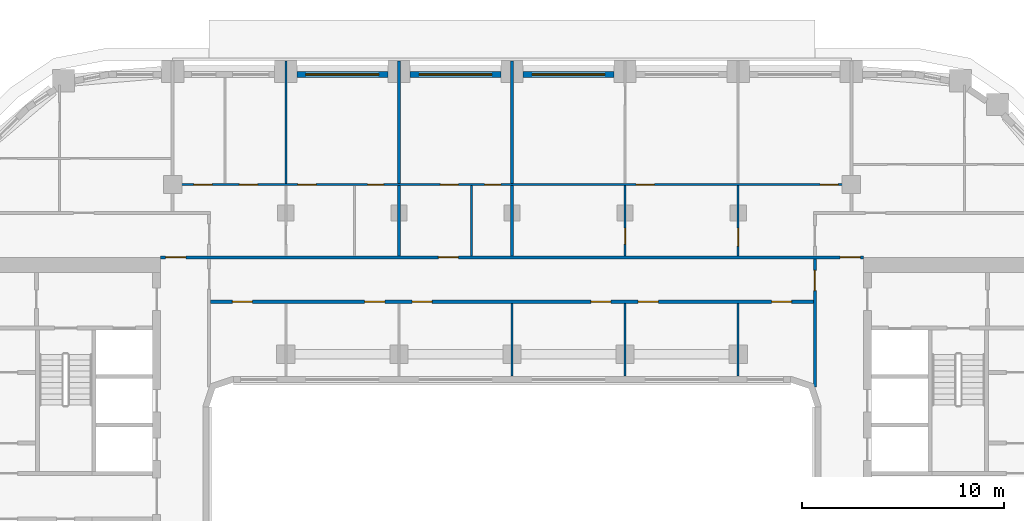
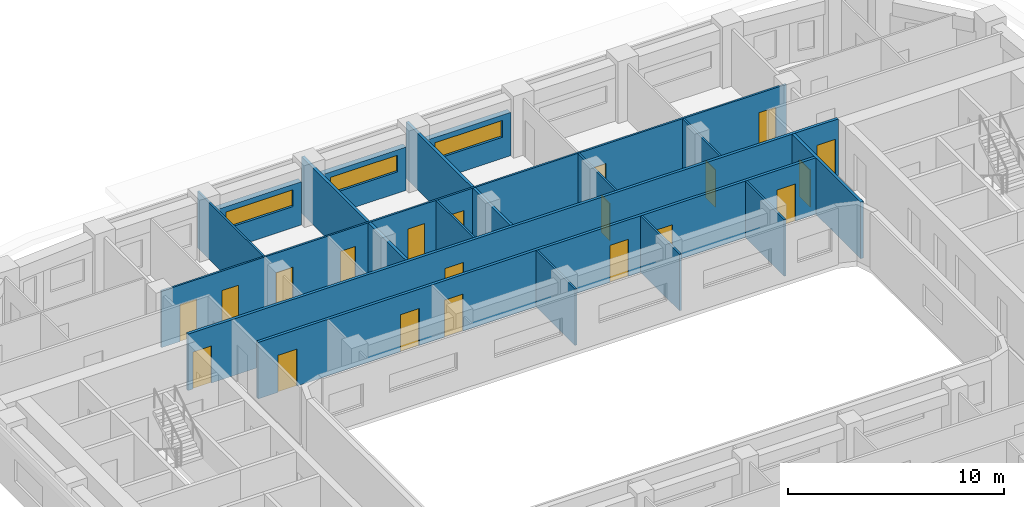
# One storey, part 8 of 22: 20 doors, 18 walls, 3 windows, 23 openings.
"""IFC4 building model written with IfcOpenShell, lengths in metres."""

from ifc_helpers import new_model, si_unit, direction, frame, frame_2d, origin, place, context, subcontext, project, spatial, rectangle, extrude, material, layer, layer_set, type_object, element, fill, save


model = new_model("IFC4")

# Units and contexts
model_context = context("Model", 3, precision=1e-05, world=origin(), true_north=direction((0.0, 1.0)))
body_context = subcontext(model_context, "Body", "Model", "MODEL_VIEW")
ifc_project = project(units=[si_unit("LENGTHUNIT", "METRE"), si_unit("AREAUNIT", "SQUARE_METRE"), si_unit("VOLUMEUNIT", "CUBIC_METRE"), si_unit("PLANEANGLEUNIT", "RADIAN"), si_unit("MASSUNIT", "GRAM", prefix="KILO")], contexts=[model_context])

# Site, building, storey
site_placement = place(None, origin())
site = spatial("IfcSite", under=ifc_project, at=site_placement, CompositionType="ELEMENT")
building_placement = place(site_placement, origin())
building = spatial("IfcBuilding", under=site, at=building_placement, Name="Kiln Ring Residences", CompositionType="ELEMENT")
storey_placement = place(building_placement, frame((0.0, 0.0, 146.60009765625)))
storey = spatial("IfcBuildingStorey", under=building, at=storey_placement, Name="L37", CompositionType="ELEMENT", Elevation=146.60009765625)

# Wall, opening, window
ifc_material_1 = material(Name="Brick masonry, dark clay brick", Category="masonry")
ifc_layer_1 = layer(ifc_material_1, 0.300048828125)
ifc_layer_set_1 = layer_set([ifc_layer_1], Name="EW-300 BRICK WALL")
wall_type_1 = type_object("IfcWallType", Name="EW-300 BRICK WALL", PredefinedType="SOLIDWALL", material=ifc_layer_set_1)
wall_1_placement = place(storey_placement, frame((5.050048828125, 22.25, 0.0), z_axis=(0.0, 0.0, 1.0), x_axis=(-1.0, 0.0, 0.0)))
wall_1 = element("IfcWall", 1, at=wall_1_placement, inside=storey, type_object=wall_type_1, Name="Facade wall L37 31", PredefinedType="SOLIDWALL", context=body_context, shape_type="SweptSolid", body=[
    extrude(rectangle(XDim=4.5, YDim=0.300048828125, at=frame_2d((2.25, 0.0))), origin(), (0.0, 0.0, 1.0), 2.449951171875),
])
opening_1_placement = place(wall_1_placement, frame((0.449951171875, 0.0, 1.199951171875)))
opening_1 = element("IfcOpeningElement", 2, at=opening_1_placement, cuts=wall_1, Name="Opening W4", PredefinedType="OPENING", context=body_context, shape_type="SweptSolid", body=[
    extrude(rectangle(XDim=3.60009765625, YDim=0.949951171875, at=frame_2d((1.800048828125, 0.47509765625))), frame((0.0, 0.159912109375, 0.0), z_axis=(0.0, -1.0, 0.0), x_axis=(1.0, 0.0, 0.0)), (0.0, 0.0, 1.0), 0.320068359375),
])
ifc_material_2 = material(Name="Aluminium frame with double glazing", Category="aluminium")
window_type = type_object("IfcWindowType", Name="WINDOW 3600 x 950", PartitioningType="SINGLE_PANEL", PredefinedType="WINDOW", material=ifc_material_2)
window_1_placement = place(opening_1_placement, origin())
window_1 = element("IfcWindow", 3, at=window_1_placement, inside=storey, type_object=window_type, Name="Window L37 19", OverallHeight=0.949951171875, OverallWidth=3.60009765625, PartitioningType="SINGLE_PANEL", PredefinedType="WINDOW", context=body_context, shape_type="SweptSolid", body=[
    extrude(rectangle(XDim=3.60009765625, YDim=0.949951171875, at=frame_2d((1.800048828125, 0.47509765625))), frame((0.0, 0.030029296875, 0.0), z_axis=(0.0, -1.0, 0.0), x_axis=(1.0, 0.0, 0.0)), (0.0, 0.0, 1.0), 0.06005859375),
])
fill(opening_1, window_1)

wall_2_placement = place(storey_placement, frame((-0.550048828125, 22.25, 0.0), z_axis=(0.0, 0.0, 1.0), x_axis=(-1.0, 0.0, 0.0)))
wall_2 = element("IfcWall", 4, at=wall_2_placement, inside=storey, type_object=wall_type_1, Name="Facade wall L37 32", PredefinedType="SOLIDWALL", context=body_context, shape_type="SweptSolid", body=[
    extrude(rectangle(XDim=4.5, YDim=0.300048828125, at=frame_2d((2.25, 0.0))), origin(), (0.0, 0.0, 1.0), 2.449951171875),
])
opening_2_placement = place(wall_2_placement, frame((0.449951171875, 0.0, 1.199951171875)))
opening_2 = element("IfcOpeningElement", 5, at=opening_2_placement, cuts=wall_2, Name="Opening W4", PredefinedType="OPENING", context=body_context, shape_type="SweptSolid", body=[
    extrude(rectangle(XDim=3.60009765625, YDim=0.949951171875, at=frame_2d((1.800048828125, 0.47509765625))), frame((0.0, 0.159912109375, 0.0), z_axis=(0.0, -1.0, 0.0), x_axis=(1.0, 0.0, 0.0)), (0.0, 0.0, 1.0), 0.320068359375),
])
window_2_placement = place(opening_2_placement, origin())
window_2 = element("IfcWindow", 6, at=window_2_placement, inside=storey, type_object=window_type, Name="Window L37 20", OverallHeight=0.949951171875, OverallWidth=3.60009765625, PartitioningType="SINGLE_PANEL", PredefinedType="WINDOW", context=body_context, shape_type="SweptSolid", body=[
    extrude(rectangle(XDim=3.60009765625, YDim=0.949951171875, at=frame_2d((1.800048828125, 0.47509765625))), frame((0.0, 0.030029296875, 0.0), z_axis=(0.0, -1.0, 0.0), x_axis=(1.0, 0.0, 0.0)), (0.0, 0.0, 1.0), 0.06005859375),
])
fill(opening_2, window_2)

wall_3_placement = place(storey_placement, frame((-6.14990234375, 22.25, 0.0), z_axis=(0.0, 0.0, 1.0), x_axis=(-1.0, 0.0, 0.0)))
wall_3 = element("IfcWall", 7, at=wall_3_placement, inside=storey, type_object=wall_type_1, Name="Facade wall L37 33", PredefinedType="SOLIDWALL", context=body_context, shape_type="SweptSolid", body=[
    extrude(rectangle(XDim=4.5, YDim=0.300048828125, at=frame_2d((2.25, 0.0))), origin(), (0.0, 0.0, 1.0), 2.449951171875),
])
opening_3_placement = place(wall_3_placement, frame((0.449951171875, 0.0, 1.199951171875)))
opening_3 = element("IfcOpeningElement", 8, at=opening_3_placement, cuts=wall_3, Name="Opening W4", PredefinedType="OPENING", context=body_context, shape_type="SweptSolid", body=[
    extrude(rectangle(XDim=3.60009765625, YDim=0.949951171875, at=frame_2d((1.800048828125, 0.47509765625))), frame((0.0, 0.159912109375, 0.0), z_axis=(0.0, -1.0, 0.0), x_axis=(1.0, 0.0, 0.0)), (0.0, 0.0, 1.0), 0.320068359375),
])
window_3_placement = place(opening_3_placement, origin())
window_3 = element("IfcWindow", 9, at=window_3_placement, inside=storey, type_object=window_type, Name="Window L37 21", OverallHeight=0.949951171875, OverallWidth=3.60009765625, PartitioningType="SINGLE_PANEL", PredefinedType="WINDOW", context=body_context, shape_type="SweptSolid", body=[
    extrude(rectangle(XDim=3.60009765625, YDim=0.949951171875, at=frame_2d((1.800048828125, 0.47509765625))), frame((0.0, 0.030029296875, 0.0), z_axis=(0.0, -1.0, 0.0), x_axis=(1.0, 0.0, 0.0)), (0.0, 0.0, 1.0), 0.06005859375),
])
fill(opening_3, window_3)

# Wall, openings, doors
ifc_material_3 = material(Name="Gypsum board on steel studs", Category="steel")
ifc_layer_2 = layer(ifc_material_3, 0.10009765625)
ifc_layer_set_2 = layer_set([ifc_layer_2], Name="PARTITION-100")
wall_type_2 = type_object("IfcWallType", Name="PARTITION-100", PredefinedType="PARTITIONING", material=ifc_layer_set_2)
wall_4_placement = place(storey_placement, frame((-16.72509765625, 16.800048828125, 0.0), z_axis=(0.0, 0.0, 1.0), x_axis=(1.0, 0.0, 0.0)))
wall_4 = element("IfcWall", 10, at=wall_4_placement, inside=storey, type_object=wall_type_2, Name="Partition 011", PredefinedType="PARTITIONING", context=body_context, shape_type="SweptSolid", body=[
    extrude(rectangle(XDim=33.4501953125, YDim=0.10009765625, at=frame_2d((16.72509765625, 0.0))), origin(), (0.0, 0.0, 1.0), 3.199951171875),
])
opening_4_placement = place(wall_4_placement, frame((9.574951171875, 0.0, 0.0)))
opening_4 = element("IfcOpeningElement", 11, at=opening_4_placement, cuts=wall_4, Name="Opening L37-D017", PredefinedType="OPENING", context=body_context, shape_type="SweptSolid", body=[
    extrude(rectangle(XDim=0.800048828125, YDim=2.10009765625, at=frame_2d((0.39990234375, 1.050048828125))), frame((0.0, 0.06005859375, 0.0), z_axis=(0.0, -1.0, 0.0), x_axis=(1.0, 0.0, 0.0)), (0.0, 0.0, 1.0), 0.1201171875),
])
opening_5_placement = place(wall_4_placement, frame((6.125, 0.0, 0.0)))
opening_5 = element("IfcOpeningElement", 12, at=opening_5_placement, cuts=wall_4, Name="Opening L37-D018", PredefinedType="OPENING", context=body_context, shape_type="SweptSolid", body=[
    extrude(rectangle(XDim=0.89990234375, YDim=2.10009765625, at=frame_2d((0.449951171875, 1.050048828125))), frame((0.0, 0.06005859375, 0.0), z_axis=(0.0, -1.0, 0.0), x_axis=(1.0, 0.0, 0.0)), (0.0, 0.0, 1.0), 0.1201171875),
])
opening_6_placement = place(wall_4_placement, frame((0.97509765625, 0.0, 0.0)))
opening_6 = element("IfcOpeningElement", 13, at=opening_6_placement, cuts=wall_4, Name="Opening L37-D019", PredefinedType="OPENING", context=body_context, shape_type="SweptSolid", body=[
    extrude(rectangle(XDim=0.89990234375, YDim=2.10009765625, at=frame_2d((0.449951171875, 1.050048828125))), frame((0.0, 0.06005859375, 0.0), z_axis=(0.0, -1.0, 0.0), x_axis=(1.0, 0.0, 0.0)), (0.0, 0.0, 1.0), 0.1201171875),
])
opening_7_placement = place(wall_4_placement, frame((3.22509765625, 0.0, 0.0)))
opening_7 = element("IfcOpeningElement", 14, at=opening_7_placement, cuts=wall_4, Name="Opening L37-D020", PredefinedType="OPENING", context=body_context, shape_type="SweptSolid", body=[
    extrude(rectangle(XDim=0.89990234375, YDim=2.10009765625, at=frame_2d((0.449951171875, 1.050048828125))), frame((0.0, 0.06005859375, 0.0), z_axis=(0.0, -1.0, 0.0), x_axis=(1.0, 0.0, 0.0)), (0.0, 0.0, 1.0), 0.1201171875),
])
opening_8_placement = place(wall_4_placement, frame((15.375, 0.0, 0.0)))
opening_8 = element("IfcOpeningElement", 15, at=opening_8_placement, cuts=wall_4, Name="Opening L37-D022", PredefinedType="OPENING", context=body_context, shape_type="SweptSolid", body=[
    extrude(rectangle(XDim=0.800048828125, YDim=2.10009765625, at=frame_2d((0.39990234375, 1.050048828125))), frame((0.0, 0.06005859375, 0.0), z_axis=(0.0, -1.0, 0.0), x_axis=(1.0, 0.0, 0.0)), (0.0, 0.0, 1.0), 0.1201171875),
])
opening_9_placement = place(wall_4_placement, frame((13.175048828125, 0.0, 0.0)))
opening_9 = element("IfcOpeningElement", 16, at=opening_9_placement, cuts=wall_4, Name="Opening L37-D023", PredefinedType="OPENING", context=body_context, shape_type="SweptSolid", body=[
    extrude(rectangle(XDim=0.89990234375, YDim=2.10009765625, at=frame_2d((0.449951171875, 1.050048828125))), frame((0.0, 0.06005859375, 0.0), z_axis=(0.0, -1.0, 0.0), x_axis=(1.0, 0.0, 0.0)), (0.0, 0.0, 1.0), 0.1201171875),
])
opening_10_placement = place(wall_4_placement, frame((31.97509765625, 0.0, 0.0)))
opening_10 = element("IfcOpeningElement", 17, at=opening_10_placement, cuts=wall_4, Name="Opening L37-D027", PredefinedType="OPENING", context=body_context, shape_type="SweptSolid", body=[
    extrude(rectangle(XDim=0.89990234375, YDim=2.10009765625, at=frame_2d((0.449951171875, 1.050048828125))), frame((0.0, 0.06005859375, 0.0), z_axis=(0.0, -1.0, 0.0), x_axis=(1.0, 0.0, 0.0)), (0.0, 0.0, 1.0), 0.1201171875),
])
opening_11_placement = place(wall_4_placement, frame((22.875, 0.0, 0.0)))
opening_11 = element("IfcOpeningElement", 18, at=opening_11_placement, cuts=wall_4, Name="Opening L37-D028", PredefinedType="OPENING", context=body_context, shape_type="SweptSolid", body=[
    extrude(rectangle(XDim=0.89990234375, YDim=2.10009765625, at=frame_2d((0.449951171875, 1.050048828125))), frame((0.0, 0.06005859375, 0.0), z_axis=(0.0, -1.0, 0.0), x_axis=(1.0, 0.0, 0.0)), (0.0, 0.0, 1.0), 0.1201171875),
])
ifc_material_4 = material(Name="Timber door leaf", Category="wood")
door_type_1 = type_object("IfcDoorType", Name="FLAT-DOOR-800-PL", OperationType="SINGLE_SWING_LEFT", PredefinedType="DOOR", material=ifc_material_4)
door_1_placement = place(opening_4_placement, origin())
door_1 = element("IfcDoor", 19, at=door_1_placement, inside=storey, type_object=door_type_1, Name="Door L37-D017", OperationType="SINGLE_SWING_LEFT", OverallHeight=2.10009765625, OverallWidth=0.800048828125, PredefinedType="DOOR", context=body_context, shape_type="SweptSolid", body=[
    extrude(rectangle(XDim=0.800048828125, YDim=2.10009765625, at=frame_2d((0.39990234375, 1.050048828125))), frame((0.0, 0.02490234375, 0.0), z_axis=(0.0, -1.0, 0.0), x_axis=(1.0, 0.0, 0.0)), (0.0, 0.0, 1.0), 0.050048828125),
])
fill(opening_4, door_1)
door_2_placement = place(opening_8_placement, origin())
door_2 = element("IfcDoor", 20, at=door_2_placement, inside=storey, type_object=door_type_1, Name="Door L37-D022", OperationType="SINGLE_SWING_RIGHT", OverallHeight=2.10009765625, OverallWidth=0.800048828125, PredefinedType="DOOR", context=body_context, shape_type="SweptSolid", body=[
    extrude(rectangle(XDim=0.800048828125, YDim=2.10009765625, at=frame_2d((0.39990234375, 1.050048828125))), frame((0.0, 0.02490234375, 0.0), z_axis=(0.0, -1.0, 0.0), x_axis=(1.0, 0.0, 0.0)), (0.0, 0.0, 1.0), 0.050048828125),
])
fill(opening_8, door_2)
ifc_material_5 = material(Name="Timber door leaf", Category="wood")
door_type_2 = type_object("IfcDoorType", Name="FLAT-DOOR-900-PL", OperationType="SINGLE_SWING_LEFT", PredefinedType="DOOR", material=ifc_material_5)
door_3_placement = place(opening_5_placement, origin())
door_3 = element("IfcDoor", 21, at=door_3_placement, inside=storey, type_object=door_type_2, Name="Door L37-D018", OperationType="SINGLE_SWING_RIGHT", OverallHeight=2.10009765625, OverallWidth=0.89990234375, PredefinedType="DOOR", context=body_context, shape_type="SweptSolid", body=[
    extrude(rectangle(XDim=0.89990234375, YDim=2.10009765625, at=frame_2d((0.449951171875, 1.050048828125))), frame((0.0, 0.02490234375, 0.0), z_axis=(0.0, -1.0, 0.0), x_axis=(1.0, 0.0, 0.0)), (0.0, 0.0, 1.0), 0.050048828125),
])
fill(opening_5, door_3)
door_4_placement = place(opening_6_placement, origin())
door_4 = element("IfcDoor", 22, at=door_4_placement, inside=storey, type_object=door_type_2, Name="Door L37-D019", OperationType="SINGLE_SWING_LEFT", OverallHeight=2.10009765625, OverallWidth=0.89990234375, PredefinedType="DOOR", context=body_context, shape_type="SweptSolid", body=[
    extrude(rectangle(XDim=0.89990234375, YDim=2.10009765625, at=frame_2d((0.449951171875, 1.050048828125))), frame((0.0, 0.02490234375, 0.0), z_axis=(0.0, -1.0, 0.0), x_axis=(1.0, 0.0, 0.0)), (0.0, 0.0, 1.0), 0.050048828125),
])
fill(opening_6, door_4)
door_5_placement = place(opening_7_placement, origin())
door_5 = element("IfcDoor", 23, at=door_5_placement, inside=storey, type_object=door_type_2, Name="Door L37-D020", OperationType="SINGLE_SWING_RIGHT", OverallHeight=2.10009765625, OverallWidth=0.89990234375, PredefinedType="DOOR", context=body_context, shape_type="SweptSolid", body=[
    extrude(rectangle(XDim=0.89990234375, YDim=2.10009765625, at=frame_2d((0.449951171875, 1.050048828125))), frame((0.0, 0.02490234375, 0.0), z_axis=(0.0, -1.0, 0.0), x_axis=(1.0, 0.0, 0.0)), (0.0, 0.0, 1.0), 0.050048828125),
])
fill(opening_7, door_5)
door_6_placement = place(opening_9_placement, origin())
door_6 = element("IfcDoor", 24, at=door_6_placement, inside=storey, type_object=door_type_2, Name="Door L37-D023", OperationType="SINGLE_SWING_LEFT", OverallHeight=2.10009765625, OverallWidth=0.89990234375, PredefinedType="DOOR", context=body_context, shape_type="SweptSolid", body=[
    extrude(rectangle(XDim=0.89990234375, YDim=2.10009765625, at=frame_2d((0.449951171875, 1.050048828125))), frame((0.0, 0.02490234375, 0.0), z_axis=(0.0, -1.0, 0.0), x_axis=(1.0, 0.0, 0.0)), (0.0, 0.0, 1.0), 0.050048828125),
])
fill(opening_9, door_6)
door_7_placement = place(opening_10_placement, origin())
door_7 = element("IfcDoor", 25, at=door_7_placement, inside=storey, type_object=door_type_2, Name="Door L37-D027", OperationType="SINGLE_SWING_LEFT", OverallHeight=2.10009765625, OverallWidth=0.89990234375, PredefinedType="DOOR", context=body_context, shape_type="SweptSolid", body=[
    extrude(rectangle(XDim=0.89990234375, YDim=2.10009765625, at=frame_2d((0.449951171875, 1.050048828125))), frame((0.0, 0.02490234375, 0.0), z_axis=(0.0, -1.0, 0.0), x_axis=(1.0, 0.0, 0.0)), (0.0, 0.0, 1.0), 0.050048828125),
])
fill(opening_10, door_7)
door_8_placement = place(opening_11_placement, origin())
door_8 = element("IfcDoor", 26, at=door_8_placement, inside=storey, type_object=door_type_2, Name="Door L37-D028", OperationType="SINGLE_SWING_RIGHT", OverallHeight=2.10009765625, OverallWidth=0.89990234375, PredefinedType="DOOR", context=body_context, shape_type="SweptSolid", body=[
    extrude(rectangle(XDim=0.89990234375, YDim=2.10009765625, at=frame_2d((0.449951171875, 1.050048828125))), frame((0.0, 0.02490234375, 0.0), z_axis=(0.0, -1.0, 0.0), x_axis=(1.0, 0.0, 0.0)), (0.0, 0.0, 1.0), 0.050048828125),
])
fill(opening_11, door_8)

# Walls
wall_5_placement = place(storey_placement, frame((-11.199951171875, 16.85009765625, 0.0), z_axis=(0.0, 0.0, 1.0), x_axis=(0.0, 1.0, 0.0)))
element("IfcWall", 27, at=wall_5_placement, inside=storey, type_object=wall_type_2, Name="Partition 030", PredefinedType="PARTITIONING", context=body_context, shape_type="SweptSolid", body=[
    extrude(rectangle(XDim=6.079833984375, YDim=0.10009765625, at=frame_2d((3.0400390625, 0.0))), origin(), (0.0, 0.0, 1.0), 3.199951171875),
])
wall_6_placement = place(storey_placement, frame((-2.0, 13.27490234375, 0.0), z_axis=(0.0, 0.0, 1.0), x_axis=(0.0, 1.0, 0.0)))
element("IfcWall", 28, at=wall_6_placement, inside=storey, type_object=wall_type_2, Name="Partition 038", PredefinedType="PARTITIONING", context=body_context, shape_type="SweptSolid", body=[
    extrude(rectangle(XDim=3.47509765625, YDim=0.10009765625, at=frame_2d((1.737548828125, 0.0))), origin(), (0.0, 0.0, 1.0), 3.199951171875),
])
for number, where, z_axis, x_axis, name in (
    (29, (0.0, 7.320068359375, 0.0), (0.0, 0.0, 1.0), (0.0, 1.0, 0.0), "Partition 042"),
    (30, (5.60009765625, 7.320068359375, 0.0), (0.0, 0.0, 1.0), (0.0, 1.0, 0.0), "Partition 046"),
):
    element("IfcWall", number, at=place(storey_placement, frame(where, z_axis=z_axis, x_axis=x_axis)), inside=storey, type_object=wall_type_2, Name=name, PredefinedType="PARTITIONING", context=body_context, shape_type="SweptSolid", body=[
        extrude(rectangle(XDim=3.60498046875, YDim=0.10009765625, at=frame_2d((1.802490234375, 0.0))), origin(), (0.0, 0.0, 1.0), 3.199951171875),
    ])

# Wall, opening, door
wall_7_placement = place(storey_placement, frame((5.60009765625, 13.27490234375, 0.0), z_axis=(0.0, 0.0, 1.0), x_axis=(0.0, 1.0, 0.0)))
wall_7 = element("IfcWall", 31, at=wall_7_placement, inside=storey, type_object=wall_type_2, Name="Partition 047", PredefinedType="PARTITIONING", context=body_context, shape_type="SweptSolid", body=[
    extrude(rectangle(XDim=3.47509765625, YDim=0.10009765625, at=frame_2d((1.737548828125, 0.0))), origin(), (0.0, 0.0, 1.0), 3.199951171875),
])
opening_12_placement = place(wall_7_placement, frame((0.574951171875, 0.0, 0.0)))
opening_12 = element("IfcOpeningElement", 32, at=opening_12_placement, cuts=wall_7, Name="Opening L37-D026", PredefinedType="OPENING", context=body_context, shape_type="SweptSolid", body=[
    extrude(rectangle(XDim=0.800048828125, YDim=2.10009765625, at=frame_2d((0.39990234375, 1.050048828125))), frame((0.0, 0.06005859375, 0.0), z_axis=(0.0, -1.0, 0.0), x_axis=(1.0, 0.0, 0.0)), (0.0, 0.0, 1.0), 0.1201171875),
])
door_9_placement = place(opening_12_placement, origin())
door_9 = element("IfcDoor", 33, at=door_9_placement, inside=storey, type_object=door_type_1, Name="Door L37-D026", OperationType="SINGLE_SWING_RIGHT", OverallHeight=2.10009765625, OverallWidth=0.800048828125, PredefinedType="DOOR", context=body_context, shape_type="SweptSolid", body=[
    extrude(rectangle(XDim=0.800048828125, YDim=2.10009765625, at=frame_2d((0.39990234375, 1.050048828125))), frame((0.0, 0.02490234375, 0.0), z_axis=(0.0, -1.0, 0.0), x_axis=(1.0, 0.0, 0.0)), (0.0, 0.0, 1.0), 0.050048828125),
])
fill(opening_12, door_9)

# Wall
wall_8_placement = place(storey_placement, frame((11.199951171875, 7.320068359375, 0.0), z_axis=(0.0, 0.0, 1.0), x_axis=(0.0, 1.0, 0.0)))
element("IfcWall", 34, at=wall_8_placement, inside=storey, type_object=wall_type_2, Name="Partition 054", PredefinedType="PARTITIONING", context=body_context, shape_type="SweptSolid", body=[
    extrude(rectangle(XDim=3.60498046875, YDim=0.10009765625, at=frame_2d((1.802490234375, 0.0))), origin(), (0.0, 0.0, 1.0), 3.199951171875),
])

# Wall, opening, door
wall_9_placement = place(storey_placement, frame((11.199951171875, 13.27490234375, 0.0), z_axis=(0.0, 0.0, 1.0), x_axis=(0.0, 1.0, 0.0)))
wall_9 = element("IfcWall", 35, at=wall_9_placement, inside=storey, type_object=wall_type_2, Name="Partition 055", PredefinedType="PARTITIONING", context=body_context, shape_type="SweptSolid", body=[
    extrude(rectangle(XDim=3.47509765625, YDim=0.10009765625, at=frame_2d((1.737548828125, 0.0))), origin(), (0.0, 0.0, 1.0), 3.199951171875),
])
opening_13_placement = place(wall_9_placement, frame((0.47509765625, 0.0, 0.0)))
opening_13 = element("IfcOpeningElement", 36, at=opening_13_placement, cuts=wall_9, Name="Opening L37-D025", PredefinedType="OPENING", context=body_context, shape_type="SweptSolid", body=[
    extrude(rectangle(XDim=0.89990234375, YDim=2.10009765625, at=frame_2d((0.449951171875, 1.050048828125))), frame((0.0, 0.06005859375, 0.0), z_axis=(0.0, -1.0, 0.0), x_axis=(1.0, 0.0, 0.0)), (0.0, 0.0, 1.0), 0.1201171875),
])
door_10_placement = place(opening_13_placement, origin())
door_10 = element("IfcDoor", 37, at=door_10_placement, inside=storey, type_object=door_type_2, Name="Door L37-D025", OperationType="SINGLE_SWING_RIGHT", OverallHeight=2.10009765625, OverallWidth=0.89990234375, PredefinedType="DOOR", context=body_context, shape_type="SweptSolid", body=[
    extrude(rectangle(XDim=0.89990234375, YDim=2.10009765625, at=frame_2d((0.449951171875, 1.050048828125))), frame((0.0, 0.02490234375, 0.0), z_axis=(0.0, -1.0, 0.0), x_axis=(1.0, 0.0, 0.0)), (0.0, 0.0, 1.0), 0.050048828125),
])
fill(opening_13, door_10)

# Wall, openings, doors
ifc_material_6 = material(Name="Brick masonry partition", Category="masonry")
ifc_layer_3 = layer(ifc_material_6, 0.14990234375)
ifc_layer_set_3 = layer_set([ifc_layer_3], Name="PARTITION-150-ei60")
wall_type_3 = type_object("IfcWallType", Name="PARTITION-150-ei60", PredefinedType="PARTITIONING", material=ifc_layer_set_3)
wall_10_placement = place(storey_placement, frame((-14.925048828125, 11.0, 0.0), z_axis=(0.0, 0.0, 1.0), x_axis=(1.0, 0.0, 0.0)))
wall_10 = element("IfcWall", 38, at=wall_10_placement, inside=storey, type_object=wall_type_3, Name="Partition 007", PredefinedType="PARTITIONING", context=body_context, shape_type="SweptSolid", body=[
    extrude(rectangle(XDim=29.85009765625, YDim=0.14990234375, at=frame_2d((14.925048828125, 0.0))), origin(), (0.0, 0.0, 1.0), 3.199951171875),
])
opening_14_placement = place(wall_10_placement, frame((1.075927734375, 0.0, 0.0)))
opening_14 = element("IfcOpeningElement", 39, at=opening_14_placement, cuts=wall_10, Name="Opening L37-D009", PredefinedType="OPENING", context=body_context, shape_type="SweptSolid", body=[
    extrude(rectangle(XDim=1.0, YDim=2.10009765625, at=frame_2d((0.5, 1.050048828125))), frame((0.0, 0.0849609375, 0.0), z_axis=(0.0, -1.0, 0.0), x_axis=(1.0, 0.0, 0.0)), (0.0, 0.0, 1.0), 0.169921875),
])
opening_15_placement = place(wall_10_placement, frame((7.625, 0.0, 0.0)))
opening_15 = element("IfcOpeningElement", 40, at=opening_15_placement, cuts=wall_10, Name="Opening L37-D010", PredefinedType="OPENING", context=body_context, shape_type="SweptSolid", body=[
    extrude(rectangle(XDim=1.0, YDim=2.10009765625, at=frame_2d((0.5, 1.050048828125))), frame((0.0, 0.0849609375, 0.0), z_axis=(0.0, -1.0, 0.0), x_axis=(1.0, 0.0, 0.0)), (0.0, 0.0, 1.0), 0.169921875),
])
opening_16_placement = place(wall_10_placement, frame((9.97509765625, 0.0, 0.0)))
opening_16 = element("IfcOpeningElement", 41, at=opening_16_placement, cuts=wall_10, Name="Opening L37-D011", PredefinedType="OPENING", context=body_context, shape_type="SweptSolid", body=[
    extrude(rectangle(XDim=1.0, YDim=2.10009765625, at=frame_2d((0.5, 1.050048828125))), frame((0.0, 0.0849609375, 0.0), z_axis=(0.0, -1.0, 0.0), x_axis=(1.0, 0.0, 0.0)), (0.0, 0.0, 1.0), 0.169921875),
])
opening_17_placement = place(wall_10_placement, frame((18.824951171875, 0.0, 0.0)))
opening_17 = element("IfcOpeningElement", 42, at=opening_17_placement, cuts=wall_10, Name="Opening L37-D012", PredefinedType="OPENING", context=body_context, shape_type="SweptSolid", body=[
    extrude(rectangle(XDim=1.0, YDim=2.10009765625, at=frame_2d((0.5, 1.050048828125))), frame((0.0, 0.0849609375, 0.0), z_axis=(0.0, -1.0, 0.0), x_axis=(1.0, 0.0, 0.0)), (0.0, 0.0, 1.0), 0.169921875),
])
opening_18_placement = place(wall_10_placement, frame((21.175048828125, 0.0, 0.0)))
opening_18 = element("IfcOpeningElement", 43, at=opening_18_placement, cuts=wall_10, Name="Opening L37-D013", PredefinedType="OPENING", context=body_context, shape_type="SweptSolid", body=[
    extrude(rectangle(XDim=1.0, YDim=2.10009765625, at=frame_2d((0.5, 1.050048828125))), frame((0.0, 0.0849609375, 0.0), z_axis=(0.0, -1.0, 0.0), x_axis=(1.0, 0.0, 0.0)), (0.0, 0.0, 1.0), 0.169921875),
])
opening_19_placement = place(wall_10_placement, frame((27.77490234375, 0.0, 0.0)))
opening_19 = element("IfcOpeningElement", 44, at=opening_19_placement, cuts=wall_10, Name="Opening L37-D014", PredefinedType="OPENING", context=body_context, shape_type="SweptSolid", body=[
    extrude(rectangle(XDim=1.0, YDim=2.10009765625, at=frame_2d((0.5, 1.050048828125))), frame((0.0, 0.0849609375, 0.0), z_axis=(0.0, -1.0, 0.0), x_axis=(1.0, 0.0, 0.0)), (0.0, 0.0, 1.0), 0.169921875),
])
ifc_material_7 = material(Name="Steel faced fire door leaf", Category="steel")
door_type_3 = type_object("IfcDoorType", Name="FLAT-DOOR-1000-FR", OperationType="SINGLE_SWING_LEFT", PredefinedType="DOOR", material=ifc_material_7)
door_11_placement = place(opening_14_placement, origin())
door_11 = element("IfcDoor", 45, at=door_11_placement, inside=storey, type_object=door_type_3, Name="Door L37-D009", OperationType="SINGLE_SWING_LEFT", OverallHeight=2.10009765625, OverallWidth=1.0, PredefinedType="DOOR", context=body_context, shape_type="SweptSolid", body=[
    extrude(rectangle(XDim=1.0, YDim=2.10009765625, at=frame_2d((0.5, 1.050048828125))), frame((0.0, 0.02490234375, 0.0), z_axis=(0.0, -1.0, 0.0), x_axis=(1.0, 0.0, 0.0)), (0.0, 0.0, 1.0), 0.050048828125),
])
fill(opening_14, door_11)
door_12_placement = place(opening_15_placement, origin())
door_12 = element("IfcDoor", 46, at=door_12_placement, inside=storey, type_object=door_type_3, Name="Door L37-D010", OperationType="SINGLE_SWING_RIGHT", OverallHeight=2.10009765625, OverallWidth=1.0, PredefinedType="DOOR", context=body_context, shape_type="SweptSolid", body=[
    extrude(rectangle(XDim=1.0, YDim=2.10009765625, at=frame_2d((0.5, 1.050048828125))), frame((0.0, 0.02490234375, 0.0), z_axis=(0.0, -1.0, 0.0), x_axis=(1.0, 0.0, 0.0)), (0.0, 0.0, 1.0), 0.050048828125),
])
fill(opening_15, door_12)
door_13_placement = place(opening_16_placement, origin())
door_13 = element("IfcDoor", 47, at=door_13_placement, inside=storey, type_object=door_type_3, Name="Door L37-D011", OperationType="SINGLE_SWING_LEFT", OverallHeight=2.10009765625, OverallWidth=1.0, PredefinedType="DOOR", context=body_context, shape_type="SweptSolid", body=[
    extrude(rectangle(XDim=1.0, YDim=2.10009765625, at=frame_2d((0.5, 1.050048828125))), frame((0.0, 0.02490234375, 0.0), z_axis=(0.0, -1.0, 0.0), x_axis=(1.0, 0.0, 0.0)), (0.0, 0.0, 1.0), 0.050048828125),
])
fill(opening_16, door_13)
door_14_placement = place(opening_17_placement, origin())
door_14 = element("IfcDoor", 48, at=door_14_placement, inside=storey, type_object=door_type_3, Name="Door L37-D012", OperationType="SINGLE_SWING_RIGHT", OverallHeight=2.10009765625, OverallWidth=1.0, PredefinedType="DOOR", context=body_context, shape_type="SweptSolid", body=[
    extrude(rectangle(XDim=1.0, YDim=2.10009765625, at=frame_2d((0.5, 1.050048828125))), frame((0.0, 0.02490234375, 0.0), z_axis=(0.0, -1.0, 0.0), x_axis=(1.0, 0.0, 0.0)), (0.0, 0.0, 1.0), 0.050048828125),
])
fill(opening_17, door_14)
door_15_placement = place(opening_18_placement, origin())
door_15 = element("IfcDoor", 49, at=door_15_placement, inside=storey, type_object=door_type_3, Name="Door L37-D013", OperationType="SINGLE_SWING_LEFT", OverallHeight=2.10009765625, OverallWidth=1.0, PredefinedType="DOOR", context=body_context, shape_type="SweptSolid", body=[
    extrude(rectangle(XDim=1.0, YDim=2.10009765625, at=frame_2d((0.5, 1.050048828125))), frame((0.0, 0.02490234375, 0.0), z_axis=(0.0, -1.0, 0.0), x_axis=(1.0, 0.0, 0.0)), (0.0, 0.0, 1.0), 0.050048828125),
])
fill(opening_18, door_15)
door_16_placement = place(opening_19_placement, origin())
door_16 = element("IfcDoor", 50, at=door_16_placement, inside=storey, type_object=door_type_3, Name="Door L37-D014", OperationType="SINGLE_SWING_RIGHT", OverallHeight=2.10009765625, OverallWidth=1.0, PredefinedType="DOOR", context=body_context, shape_type="SweptSolid", body=[
    extrude(rectangle(XDim=1.0, YDim=2.10009765625, at=frame_2d((0.5, 1.050048828125))), frame((0.0, 0.02490234375, 0.0), z_axis=(0.0, -1.0, 0.0), x_axis=(1.0, 0.0, 0.0)), (0.0, 0.0, 1.0), 0.050048828125),
])
fill(opening_19, door_16)

wall_11_placement = place(storey_placement, frame((-17.39990234375, 13.199951171875, 0.0), z_axis=(0.0, 0.0, 1.0), x_axis=(1.0, 0.0, 0.0)))
wall_11 = element("IfcWall", 51, at=wall_11_placement, inside=storey, type_object=wall_type_3, Name="Partition 008", PredefinedType="PARTITIONING", context=body_context, shape_type="SweptSolid", body=[
    extrude(rectangle(XDim=34.7998046875, YDim=0.14990234375, at=frame_2d((17.39990234375, 0.0))), origin(), (0.0, 0.0, 1.0), 3.199951171875),
])
opening_20_placement = place(wall_11_placement, frame((0.25, 0.0, 0.0)))
opening_20 = element("IfcOpeningElement", 52, at=opening_20_placement, cuts=wall_11, Name="Opening L37-D003", PredefinedType="OPENING", context=body_context, shape_type="SweptSolid", body=[
    extrude(rectangle(XDim=1.0, YDim=2.10009765625, at=frame_2d((0.5, 1.050048828125))), frame((0.0, 0.0849609375, 0.0), z_axis=(0.0, -1.0, 0.0), x_axis=(1.0, 0.0, 0.0)), (0.0, 0.0, 1.0), 0.169921875),
])
opening_21_placement = place(wall_11_placement, frame((33.64990234375, 0.0, 0.0)))
opening_21 = element("IfcOpeningElement", 53, at=opening_21_placement, cuts=wall_11, Name="Opening L37-D004", PredefinedType="OPENING", context=body_context, shape_type="SweptSolid", body=[
    extrude(rectangle(XDim=1.0, YDim=2.10009765625, at=frame_2d((0.5, 1.050048828125))), frame((0.0, 0.0849609375, 0.0), z_axis=(0.0, -1.0, 0.0), x_axis=(1.0, 0.0, 0.0)), (0.0, 0.0, 1.0), 0.169921875),
])
opening_22_placement = place(wall_11_placement, frame((13.75, 0.0, 0.0)))
opening_22 = element("IfcOpeningElement", 54, at=opening_22_placement, cuts=wall_11, Name="Opening L37-D021", PredefinedType="OPENING", context=body_context, shape_type="SweptSolid", body=[
    extrude(rectangle(XDim=1.0, YDim=2.10009765625, at=frame_2d((0.5, 1.050048828125))), frame((0.0, 0.0849609375, 0.0), z_axis=(0.0, -1.0, 0.0), x_axis=(1.0, 0.0, 0.0)), (0.0, 0.0, 1.0), 0.169921875),
])
door_17_placement = place(opening_20_placement, origin())
door_17 = element("IfcDoor", 55, at=door_17_placement, inside=storey, type_object=door_type_3, Name="Door L37-D003", OperationType="SINGLE_SWING_LEFT", OverallHeight=2.10009765625, OverallWidth=1.0, PredefinedType="DOOR", context=body_context, shape_type="SweptSolid", body=[
    extrude(rectangle(XDim=1.0, YDim=2.10009765625, at=frame_2d((0.5, 1.050048828125))), frame((0.0, 0.02490234375, 0.0), z_axis=(0.0, -1.0, 0.0), x_axis=(1.0, 0.0, 0.0)), (0.0, 0.0, 1.0), 0.050048828125),
])
fill(opening_20, door_17)
door_18_placement = place(opening_21_placement, origin())
door_18 = element("IfcDoor", 56, at=door_18_placement, inside=storey, type_object=door_type_3, Name="Door L37-D004", OperationType="SINGLE_SWING_RIGHT", OverallHeight=2.10009765625, OverallWidth=1.0, PredefinedType="DOOR", context=body_context, shape_type="SweptSolid", body=[
    extrude(rectangle(XDim=1.0, YDim=2.10009765625, at=frame_2d((0.5, 1.050048828125))), frame((0.0, 0.02490234375, 0.0), z_axis=(0.0, -1.0, 0.0), x_axis=(1.0, 0.0, 0.0)), (0.0, 0.0, 1.0), 0.050048828125),
])
fill(opening_21, door_18)
door_19_placement = place(opening_22_placement, origin())
door_19 = element("IfcDoor", 57, at=door_19_placement, inside=storey, type_object=door_type_3, Name="Door L37-D021", OperationType="SINGLE_SWING_LEFT", OverallHeight=2.10009765625, OverallWidth=1.0, PredefinedType="DOOR", context=body_context, shape_type="SweptSolid", body=[
    extrude(rectangle(XDim=1.0, YDim=2.10009765625, at=frame_2d((0.5, 1.050048828125))), frame((0.0, 0.02490234375, 0.0), z_axis=(0.0, -1.0, 0.0), x_axis=(1.0, 0.0, 0.0)), (0.0, 0.0, 1.0), 0.050048828125),
])
fill(opening_22, door_19)

# Walls
wall_12_placement = place(storey_placement, frame((-5.60009765625, 13.27490234375, 0.0), z_axis=(0.0, 0.0, 1.0), x_axis=(0.0, 1.0, 0.0)))
element("IfcWall", 58, at=wall_12_placement, inside=storey, type_object=wall_type_3, Name="Partition 036", PredefinedType="PARTITIONING", context=body_context, shape_type="SweptSolid", body=[
    extrude(rectangle(XDim=3.47509765625, YDim=0.14990234375, at=frame_2d((1.737548828125, 0.0))), origin(), (0.0, 0.0, 1.0), 3.199951171875),
])
wall_13_placement = place(storey_placement, frame((-5.60009765625, 16.85009765625, 0.0), z_axis=(0.0, 0.0, 1.0), x_axis=(0.0, 1.0, 0.0)))
element("IfcWall", 59, at=wall_13_placement, inside=storey, type_object=wall_type_3, Name="Partition 037", PredefinedType="PARTITIONING", context=body_context, shape_type="SweptSolid", body=[
    extrude(rectangle(XDim=6.079833984375, YDim=0.14990234375, at=frame_2d((3.0400390625, 0.0))), origin(), (0.0, 0.0, 1.0), 3.199951171875),
])
wall_14_placement = place(storey_placement, frame((0.0, 13.27490234375, 0.0), z_axis=(0.0, 0.0, 1.0), x_axis=(0.0, 1.0, 0.0)))
element("IfcWall", 60, at=wall_14_placement, inside=storey, type_object=wall_type_3, Name="Partition 043", PredefinedType="PARTITIONING", context=body_context, shape_type="SweptSolid", body=[
    extrude(rectangle(XDim=3.47509765625, YDim=0.14990234375, at=frame_2d((1.737548828125, 0.0))), origin(), (0.0, 0.0, 1.0), 3.199951171875),
])
wall_15_placement = place(storey_placement, frame((0.0, 16.85009765625, 0.0), z_axis=(0.0, 0.0, 1.0), x_axis=(0.0, 1.0, 0.0)))
element("IfcWall", 61, at=wall_15_placement, inside=storey, type_object=wall_type_3, Name="Partition 044", PredefinedType="PARTITIONING", context=body_context, shape_type="SweptSolid", body=[
    extrude(rectangle(XDim=6.079833984375, YDim=0.14990234375, at=frame_2d((3.0400390625, 0.0))), origin(), (0.0, 0.0, 1.0), 3.199951171875),
])

# Wall, opening, door
wall_16_placement = place(storey_placement, frame((15.0, 6.768798828125, 0.0), z_axis=(0.0, 0.0, 1.0), x_axis=(0.0, 1.0, 0.0)))
wall_16 = element("IfcWall", 62, at=wall_16_placement, inside=storey, type_object=wall_type_3, Name="Partition 059", PredefinedType="PARTITIONING", context=body_context, shape_type="SweptSolid", body=[
    extrude(rectangle(XDim=6.356201171875, YDim=0.14990234375, at=frame_2d((3.17822265625, 0.0))), origin(), (0.0, 0.0, 1.0), 3.199951171875),
])
opening_23_placement = place(wall_16_placement, frame((4.78125, 0.0, 0.0)))
opening_23 = element("IfcOpeningElement", 63, at=opening_23_placement, cuts=wall_16, Name="Opening L37-D002", PredefinedType="OPENING", context=body_context, shape_type="SweptSolid", body=[
    extrude(rectangle(XDim=1.0, YDim=2.10009765625, at=frame_2d((0.5, 1.050048828125))), frame((0.0, 0.0849609375, 0.0), z_axis=(0.0, -1.0, 0.0), x_axis=(1.0, 0.0, 0.0)), (0.0, 0.0, 1.0), 0.169921875),
])
door_20_placement = place(opening_23_placement, origin())
door_20 = element("IfcDoor", 64, at=door_20_placement, inside=storey, type_object=door_type_3, Name="Door L37-D002", OperationType="SINGLE_SWING_LEFT", OverallHeight=2.10009765625, OverallWidth=1.0, PredefinedType="DOOR", context=body_context, shape_type="SweptSolid", body=[
    extrude(rectangle(XDim=1.0, YDim=2.10009765625, at=frame_2d((0.5, 1.050048828125))), frame((0.0, 0.02490234375, 0.0), z_axis=(0.0, -1.0, 0.0), x_axis=(1.0, 0.0, 0.0)), (0.0, 0.0, 1.0), 0.050048828125),
])
fill(opening_23, door_20)

save(model, "model.ifc")
